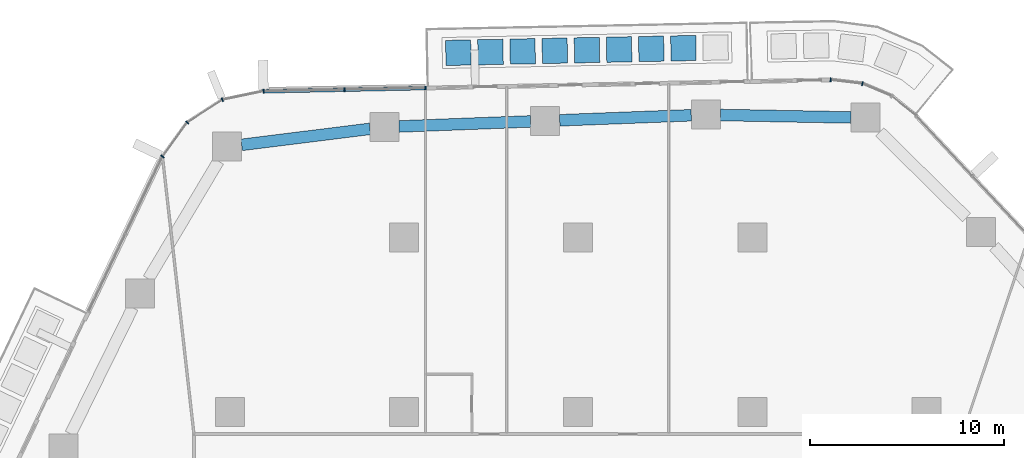
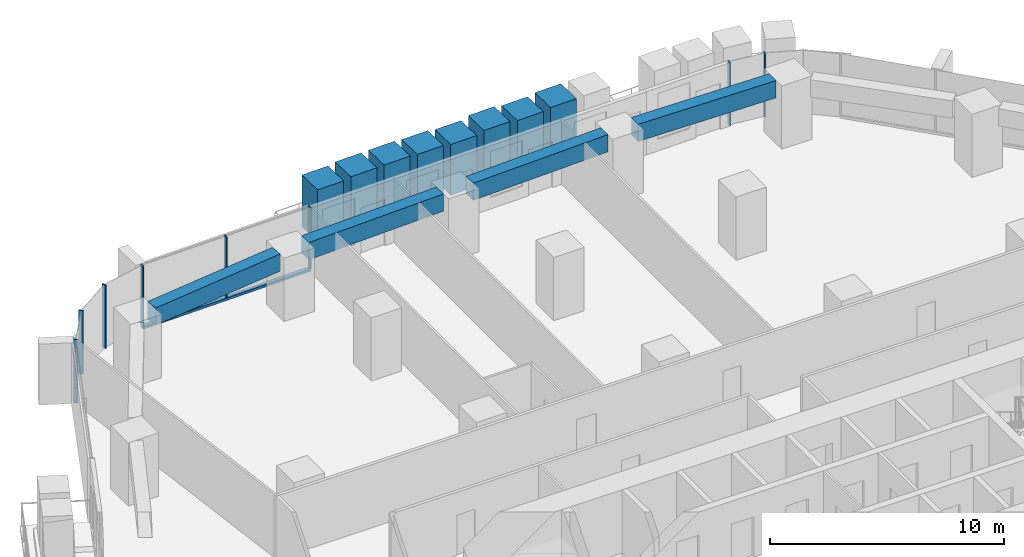
# One storey, part 8 of 24: 17 members, 4 beams, 3 elements without a shape of their own.
"""IFC4 building model written with IfcOpenShell, lengths in metres."""

import ifcopenshell
import ifcopenshell.guid

model = None  # the IFC model being written
_history = None  # IfcOwnerHistory: only IFC2X3 demands one
_inside = {}  # id of a spatial element -> (the spatial element, [elements in it])
_under = {}  # id of a project, library or spatial element -> (it, [spatial elements below it])
_declared = {}  # id of a project -> (the project, [libraries it declares])
_typed = {}  # id of a type object -> (the type object, [elements of that type])
_made_of = {}  # id of a material, layer set ... -> (it, [elements and type objects made of it])


def new_model(schema):
    """Start an empty IFC model of exactly this schema.

    Asked for "IFC4X3", IfcOpenShell would pick the latest addendum, in which some entities
    have other attributes; the version numbers below select the first issue.
    IFC2X3 requires an IfcOwnerHistory on every rooted entity: one is made here for all.
    """
    global model, _history
    if schema == "IFC4X3":
        model = ifcopenshell.file(schema_version=(4, 3, 0, 0))
    else:
        model = ifcopenshell.file(schema=schema)
    _inside.clear()
    _under.clear()
    _declared.clear()
    _typed.clear()
    _made_of.clear()
    _history = None
    if model.schema == "IFC2X3":
        org = make("IfcOrganization", Name="unknown")
        user = make(
            "IfcPersonAndOrganization",
            ThePerson=make("IfcPerson", FamilyName="unknown"),
            TheOrganization=org,
        )
        app = make(
            "IfcApplication",
            ApplicationDeveloper=org,
            Version="unknown",
            ApplicationFullName="unknown",
            ApplicationIdentifier="unknown",
        )
        _history = make(
            "IfcOwnerHistory",
            OwningUser=user,
            OwningApplication=app,
            ChangeAction="ADDED",
            CreationDate=0,
        )
    return model


def make(cls, **values):
    """One entity of the class cls with the attributes given. An attribute that is None is left unset."""
    return model.create_entity(
        cls, **{name: value for name, value in values.items() if value is not None}
    )


def rooted(cls, **values):
    """An entity with a GlobalId (a new one), such as an element, a storey or a relation."""
    return make(cls, GlobalId=ifcopenshell.guid.new(), OwnerHistory=_history, **values)


def si_unit(unit_type, name, prefix=None):
    """IfcSIUnit, for example si_unit("LENGTHUNIT", "METRE", prefix="MILLI")."""
    return make("IfcSIUnit", UnitType=unit_type, Prefix=prefix, Name=name)


def assignment(units):
    """IfcUnitAssignment: the units of a project."""
    return None if units is None else make("IfcUnitAssignment", Units=units)


def point(xyz):
    """IfcCartesianPoint."""
    return None if xyz is None else make("IfcCartesianPoint", Coordinates=xyz)


def direction(xyz):
    """IfcDirection."""
    return None if xyz is None else make("IfcDirection", DirectionRatios=xyz)


def frame(location, z_axis=None, x_axis=None):
    """IfcAxis2Placement3D, a coordinate frame: its origin and axes. An axis left out is left unset."""
    return make(
        "IfcAxis2Placement3D",
        Location=point(location),
        Axis=direction(z_axis),
        RefDirection=direction(x_axis),
    )


def frame_2d(location, x_axis=None):
    """IfcAxis2Placement2D, a coordinate frame in the plane: its origin and x axis."""
    return make(
        "IfcAxis2Placement2D", Location=point(location), RefDirection=direction(x_axis)
    )


def origin():
    """The frame at (0, 0, 0) with its axes left unset."""
    return frame((0.0, 0.0, 0.0))


def origin_2d():
    """The frame at (0, 0) in the plane with its x axis left unset."""
    return frame_2d((0.0, 0.0))


def place(relative_to, where):
    """IfcLocalPlacement: puts the frame where relative to a parent placement (None: the world)."""
    return make(
        "IfcLocalPlacement", PlacementRelTo=relative_to, RelativePlacement=where
    )


def context(
    kind, dimensions, precision=None, world=None, true_north=None, identifier=None
):
    """IfcGeometricRepresentationContext, for example the 3D "Model" context."""
    return make(
        "IfcGeometricRepresentationContext",
        ContextIdentifier=identifier,
        ContextType=kind,
        CoordinateSpaceDimension=dimensions,
        Precision=precision,
        WorldCoordinateSystem=world,
        TrueNorth=true_north,
    )


def subcontext(parent, identifier, kind, view, scale=None):
    """IfcGeometricRepresentationSubContext, for example "Body" below "Model"."""
    return make(
        "IfcGeometricRepresentationSubContext",
        ContextIdentifier=identifier,
        ContextType=kind,
        ParentContext=parent,
        TargetScale=scale,
        TargetView=view,
    )


def project(units=None, contexts=None):
    """IfcProject with its units and contexts."""
    return rooted(
        "IfcProject",
        Name="project",
        RepresentationContexts=contexts,
        UnitsInContext=assignment(units),
    )


def spatial(cls, under=None, at=None, **own):
    """A site, building, storey or space (cls), placed at a placement, below another one or the project."""
    s = rooted(cls, ObjectPlacement=at, **own)
    if under is not None:
        _under.setdefault(under.id(), (under, []))[1].append(s)
    return s


def profile(cls, at=None, kind="AREA", **sizes):
    """A parametric profile (cls). Its sizes go by their IFC names, for example OverallWidth=200.0."""
    return make(cls, ProfileType=kind, Position=at, **sizes)


def rectangle(**sizes):
    """IfcRectangleProfileDef."""
    return profile("IfcRectangleProfileDef", **sizes)


def extrude(swept, where, along, depth):
    """IfcExtrudedAreaSolid: the profile swept, set in the frame where, extruded along a direction by depth."""
    return make(
        "IfcExtrudedAreaSolid",
        SweptArea=swept,
        Position=where,
        ExtrudedDirection=direction(along),
        Depth=depth,
    )


def shape(context_of_items, identifier, shape_type, items):
    """IfcShapeRepresentation: the items that make up one representation, for example the "Body"."""
    return make(
        "IfcShapeRepresentation",
        ContextOfItems=context_of_items,
        RepresentationIdentifier=identifier,
        RepresentationType=shape_type,
        Items=items,
    )


def material(Name=None, Category=None):
    """IfcMaterial."""
    return make("IfcMaterial", Name=Name, Category=Category)


def layer(
    of_material, thickness, ventilated=None, Name=None, Category=None, Priority=None
):
    """IfcMaterialLayer: one layer of a wall or slab, of a material (None: an air gap)."""
    return make(
        "IfcMaterialLayer",
        Material=of_material,
        LayerThickness=thickness,
        IsVentilated=ventilated,
        Name=Name,
        Category=Category,
        Priority=Priority,
    )


def layer_set(layers, Name=None):
    """IfcMaterialLayerSet."""
    return make("IfcMaterialLayerSet", MaterialLayers=layers, LayerSetName=Name)


def material_profile(
    of_material, cross_section, Name=None, Category=None, Priority=None
):
    """IfcMaterialProfile: a cross section and its material."""
    return make(
        "IfcMaterialProfile",
        Name=Name,
        Material=of_material,
        Profile=cross_section,
        Priority=Priority,
        Category=Category,
    )


def profile_set(profiles, Name=None, composite=None):
    """IfcMaterialProfileSet."""
    return make(
        "IfcMaterialProfileSet",
        Name=Name,
        MaterialProfiles=profiles,
        CompositeProfile=composite,
    )


def made_of(thing, what):
    """Note that an element or type object is made of a material, layer set ...; save() writes the relation."""
    if what is not None:
        _made_of.setdefault(what.id(), (what, []))[1].append(thing)
    return thing


def type_object(cls, material=None, **own):
    """A type object (cls), such as IfcWallType, which elements share."""
    return made_of(rooted(cls, **own), material)


def element(
    cls,
    number,
    at=None,
    inside=None,
    cuts=None,
    type_object=None,
    material=None,
    context=None,
    identifier="Body",
    shape_type=None,
    held_by="IfcProductDefinitionShape",
    body=None,
    shapes=None,
    **own,
):
    """One element of the class cls, such as IfcWall. Its Tag is "e" and its number.

    at: its placement. inside: the storey or other place that contains it. cuts: it is an
    opening in that element (IfcRelVoidsElement). A single representation is given by context,
    identifier, shape_type and body (its items); several are given by shapes. held_by: the class
    of the entity that holds the representations. save() writes the other relations.
    """
    e = rooted(cls, Tag="e%d" % number, ObjectPlacement=at, **own)
    if body is not None:
        shapes = [shape(context, identifier, shape_type, body)]
    if shapes is not None:
        e.Representation = make(held_by, Representations=shapes)
    if inside is not None:
        _inside.setdefault(inside.id(), (inside, []))[1].append(e)
    if cuts is not None:
        rooted(
            "IfcRelVoidsElement", RelatingBuildingElement=cuts, RelatedOpeningElement=e
        )
    if type_object is not None:
        _typed.setdefault(type_object.id(), (type_object, []))[1].append(e)
    return made_of(e, material)


def aggregate(whole, parts):
    """IfcRelAggregates: a whole, such as a stair, and the parts it consists of."""
    return rooted("IfcRelAggregates", RelatingObject=whole, RelatedObjects=parts)


def save(model, path):
    """Write the relations noted so far, then the file.

    IfcRelAggregates (storeys below a building ...), IfcRelContainedInSpatialStructure (elements
    in a storey), IfcRelDefinesByType, IfcRelAssociatesMaterial and IfcRelDeclares: one each for
    every whole, place, type object, material and project.
    """
    for whole, parts in _under.values():
        aggregate(whole, parts)
    for where, things in _inside.values():
        rooted(
            "IfcRelContainedInSpatialStructure",
            RelatedElements=things,
            RelatingStructure=where,
        )
    for kind, things in _typed.values():
        rooted("IfcRelDefinesByType", RelatedObjects=things, RelatingType=kind)
    for what, things in _made_of.values():
        rooted("IfcRelAssociatesMaterial", RelatedObjects=things, RelatingMaterial=what)
    for by, libraries in _declared.values():
        rooted("IfcRelDeclares", RelatingContext=by, RelatedDefinitions=libraries)
    model.write(path)


model = new_model("IFC4")

# Units and contexts
model_context = context("Model", 3, precision=1e-05, world=origin(), true_north=direction((0.0, 1.0)))
body_context = subcontext(model_context, "Body", "Model", "MODEL_VIEW")
ifc_project = project(units=[si_unit("LENGTHUNIT", "METRE"), si_unit("AREAUNIT", "SQUARE_METRE"), si_unit("VOLUMEUNIT", "CUBIC_METRE"), si_unit("PLANEANGLEUNIT", "RADIAN"), si_unit("MASSUNIT", "GRAM", prefix="KILO")], contexts=[model_context])

# Site, building, storey
site_placement = place(None, origin())
site = spatial("IfcSite", under=ifc_project, at=site_placement, CompositionType="ELEMENT")
building_placement = place(site_placement, origin())
building = spatial("IfcBuilding", under=site, at=building_placement, Name="Dongbaek Canopy Tower", CompositionType="ELEMENT")
storey_placement = place(building_placement, frame((0.0, 0.0, 47.699951171875)))
storey = spatial("IfcBuildingStorey", under=building, at=storey_placement, Name="L07", CompositionType="ELEMENT", Elevation=47.699951171875)

# Curtain wall, members
ifc_material_1 = material(Name="Aluminium 6063-T6 pale anodised", Category="aluminium")
ifc_layer = layer(ifc_material_1, 0.199951171875)
ifc_layer_set = layer_set([ifc_layer], Name="CW-1 unitised tower curtain wall")
curtain_wall_type = type_object("IfcCurtainWallType", Name="CW-1 unitised tower curtain wall", PredefinedType="NOTDEFINED", material=ifc_layer_set)
curtain_wall_1_placement = place(storey_placement, origin())
curtain_wall_1 = element("IfcCurtainWall", 1, at=curtain_wall_1_placement, inside=storey, type_object=curtain_wall_type, Name="CW-1 curtain wall K1.1", PredefinedType="NOTDEFINED")
ifc_material_2 = material(Name="Aluminium 6063-T6 pale anodised", Category="aluminium")
ifc_material_profile_1 = material_profile(ifc_material_2, rectangle(XDim=0.199951171875, YDim=0.06005859375, at=origin_2d()), Name="CW-1 mullion 60 x 200")
ifc_profile_set_1 = profile_set([ifc_material_profile_1], Name="Aluminium 6063-T6 pale anodised")
member_type_1 = type_object("IfcMemberType", Name="CW-1 mullion 60 x 200", PredefinedType="MULLION", material=ifc_profile_set_1)
member_1_placement = place(storey_placement, frame((14.678466796875, 34.949462890625, 0.0), z_axis=(0.0, 0.0, 1.0), x_axis=(0.256289748886, 0.966600002388, 0.0)))
member_1 = element("IfcMember", 2, at=member_1_placement, type_object=member_type_1, Name="CW-1 mullion K1.1.3", PredefinedType="MULLION", context=body_context, shape_type="SweptSolid", body=[
    extrude(rectangle(XDim=0.199951171875, YDim=0.06005859375, at=origin_2d()), origin(), (0.0, 0.0, 1.0), 3.300048828125),
])
member_2_placement = place(storey_placement, frame((13.0419921875, 35.14599609375, 0.0), z_axis=(0.0, 0.0, 1.0), x_axis=(0.119342231926, 0.992853177302, 0.0)))
member_2 = element("IfcMember", 3, at=member_2_placement, type_object=member_type_1, Name="CW-1 mullion K1.1.4", PredefinedType="MULLION", context=body_context, shape_type="SweptSolid", body=[
    extrude(rectangle(XDim=0.199951171875, YDim=0.06005859375, at=origin_2d()), origin(), (0.0, 0.0, 1.0), 3.300048828125),
])
aggregate(curtain_wall_1, [member_1, member_2])

curtain_wall_2_placement = place(storey_placement, origin())
curtain_wall_2 = element("IfcCurtainWall", 4, at=curtain_wall_2_placement, inside=storey, type_object=curtain_wall_type, Name="CW-1 curtain wall F1.1", PredefinedType="NOTDEFINED")
member_3_placement = place(storey_placement, frame((-7.8876953125, 34.72900390625, 0.1201171875), z_axis=(0.0, 0.0, 1.0), x_axis=(-0.019925757664, 0.999801462382, 0.0)))
member_3 = element("IfcMember", 5, at=member_3_placement, type_object=member_type_1, Name="CW-1 mullion F1.1.1", PredefinedType="MULLION", context=body_context, shape_type="SweptSolid", body=[
    extrude(rectangle(XDim=0.199951171875, YDim=0.06005859375, at=origin_2d()), origin(), (0.0, 0.0, 1.0), 3.179931640625),
])
member_4_placement = place(storey_placement, frame((-12.074951171875, 34.6455078125, 0.1201171875), z_axis=(0.0, 0.0, 1.0), x_axis=(-0.019925757664, 0.999801462382, 0.0)))
member_4 = element("IfcMember", 6, at=member_4_placement, type_object=member_type_1, Name="CW-1 mullion F1.1.2", PredefinedType="MULLION", context=body_context, shape_type="SweptSolid", body=[
    extrude(rectangle(XDim=0.199951171875, YDim=0.06005859375, at=origin_2d()), origin(), (0.0, 0.0, 1.0), 3.179931640625),
])
member_5_placement = place(storey_placement, frame((-16.2529296875, 34.562255859375, 0.1201171875), z_axis=(0.0, 0.0, 1.0), x_axis=(-0.019925757664, 0.999801462382, 0.0)))
member_5 = element("IfcMember", 7, at=member_5_placement, type_object=member_type_1, Name="CW-1 mullion F1.1.3", PredefinedType="MULLION", context=body_context, shape_type="SweptSolid", body=[
    extrude(rectangle(XDim=0.199951171875, YDim=0.06005859375, at=origin_2d()), origin(), (0.0, 0.0, 1.0), 3.179931640625),
])

curtain_wall_3_placement = place(storey_placement, origin())
curtain_wall_3 = element("IfcCurtainWall", 8, at=curtain_wall_3_placement, inside=storey, type_object=curtain_wall_type, Name="CW-1 curtain wall K2.1", PredefinedType="NOTDEFINED")
member_6_placement = place(storey_placement, frame((-18.380615234375, 34.121337890625, 0.0), z_axis=(0.0, 0.0, 1.0), x_axis=(-0.379075212313, 0.925365864623, 0.0)))
member_6 = element("IfcMember", 9, at=member_6_placement, type_object=member_type_1, Name="CW-1 mullion K2.1.2", PredefinedType="MULLION", context=body_context, shape_type="SweptSolid", body=[
    extrude(rectangle(XDim=0.199951171875, YDim=0.06005859375, at=origin_2d()), origin(), (0.0, 0.0, 1.0), 3.300048828125),
])
member_7_placement = place(storey_placement, frame((-20.1982421875, 32.947998046875, 0.0), z_axis=(0.0, 0.0, 1.0), x_axis=(-0.687228061912, 0.72644173264, 0.0)))
member_7 = element("IfcMember", 10, at=member_7_placement, type_object=member_type_1, Name="CW-1 mullion K2.1.3", PredefinedType="MULLION", context=body_context, shape_type="SweptSolid", body=[
    extrude(rectangle(XDim=0.199951171875, YDim=0.06005859375, at=origin_2d()), origin(), (0.0, 0.0, 1.0), 3.300048828125),
])
member_8_placement = place(storey_placement, frame((-21.47607421875, 31.190673828125, 0.0), z_axis=(0.0, 0.0, 1.0), x_axis=(-0.808795565583, 0.58808990222, 0.0)))
member_8 = element("IfcMember", 11, at=member_8_placement, type_object=member_type_1, Name="CW-1 mullion K2.1.4", PredefinedType="MULLION", context=body_context, shape_type="SweptSolid", body=[
    extrude(rectangle(XDim=0.199951171875, YDim=0.06005859375, at=origin_2d()), origin(), (0.0, 0.0, 1.0), 3.300048828125),
])
aggregate(curtain_wall_3, [member_6, member_7, member_8])

# Member
ifc_material_3 = material(Name="Aluminium 6063-T6 pale anodised", Category="aluminium")
ifc_material_profile_2 = material_profile(ifc_material_3, rectangle(XDim=0.199951171875, YDim=0.1201171875, at=origin_2d()), Name="CW-1 transom 120 x 200")
ifc_profile_set_2 = profile_set([ifc_material_profile_2], Name="Aluminium 6063-T6 pale anodised")
member_type_2 = type_object("IfcMemberType", Name="CW-1 transom 120 x 200", PredefinedType="USERDEFINED", material=ifc_profile_set_2)
member_9_placement = place(storey_placement, frame((-7.8876953125, 34.72900390625, 0.06005859375), z_axis=(-0.999801387815, -0.019929498829, 0.0), x_axis=(0.019929498829, -0.999801387815, 0.0)))
member_9 = element("IfcMember", 12, at=member_9_placement, type_object=member_type_2, Name="CW-1 transom F1.1.1", ObjectType="TRANSOM", PredefinedType="USERDEFINED", context=body_context, shape_type="SweptSolid", body=[
    extrude(rectangle(XDim=0.199951171875, YDim=0.1201171875, at=origin_2d()), origin(), (0.0, 0.0, 1.0), 8.366943359375),
])

aggregate(curtain_wall_2, [member_3, member_4, member_5, member_9])

# Beams
ifc_material_4 = material(Name="Concrete C80", Category="concrete")
ifc_material_profile_3 = material_profile(ifc_material_4, rectangle(XDim=0.60009765625, YDim=0.89990234375, at=origin_2d()), Name="RC EDGE BEAM 600x900 C80")
ifc_profile_set_3 = profile_set([ifc_material_profile_3], Name="Concrete C80")
beam_type = type_object("IfcBeamType", Name="RC EDGE BEAM 600x900 C80", PredefinedType="BEAM", material=ifc_profile_set_3)
beam_1_placement = place(storey_placement, frame((-17.388916015625, 31.79248046875, 2.85009765625), z_axis=(0.992300337098, 0.123854919137, 0.0), x_axis=(-0.123854919137, 0.992300337098, 0.0)))
element("IfcBeam", 13, at=beam_1_placement, inside=storey, type_object=beam_type, Name="EDGEBEAM:L07:13", PredefinedType="BEAM", context=body_context, shape_type="SweptSolid", body=[
    extrude(rectangle(XDim=0.60009765625, YDim=0.89990234375, at=origin_2d()), origin(), (0.0, 0.0, 1.0), 6.684326171875),
])
beam_2_placement = place(storey_placement, frame((-9.256103515625, 32.74267578125, 2.85009765625), z_axis=(0.999265250645, 0.038326999019, 0.0), x_axis=(-0.038326999019, 0.999265250645, 0.0)))
element("IfcBeam", 14, at=beam_2_placement, inside=storey, type_object=beam_type, Name="EDGEBEAM:L07:14", PredefinedType="BEAM", context=body_context, shape_type="SweptSolid", body=[
    extrude(rectangle(XDim=0.60009765625, YDim=0.89990234375, at=origin_2d()), origin(), (0.0, 0.0, 1.0), 6.802978515625),
])
beam_3_placement = place(storey_placement, frame((-0.9580078125, 33.060791015625, 2.85009765625), z_axis=(0.99927189778, 0.038153300073, 0.0), x_axis=(-0.038153300073, 0.99927189778, 0.0)))
element("IfcBeam", 15, at=beam_3_placement, inside=storey, type_object=beam_type, Name="EDGEBEAM:L07:15", PredefinedType="BEAM", context=body_context, shape_type="SweptSolid", body=[
    extrude(rectangle(XDim=0.60009765625, YDim=0.89990234375, at=origin_2d()), origin(), (0.0, 0.0, 1.0), 6.802001953125),
])
beam_4_placement = place(storey_placement, frame((7.339111328125, 33.3349609375, 2.85009765625), z_axis=(0.999822704828, -0.018829734762, 0.0), x_axis=(0.018829734762, 0.999822704828, 0.0)))
element("IfcBeam", 16, at=beam_4_placement, inside=storey, type_object=beam_type, Name="EDGEBEAM:L07:16", PredefinedType="BEAM", context=body_context, shape_type="SweptSolid", body=[
    extrude(rectangle(XDim=0.60009765625, YDim=0.89990234375, at=origin_2d()), origin(), (0.0, 0.0, 1.0), 6.7421875),
])

# Members
ifc_material_5 = material(Name="Concrete C40/50 planter mass with planting", Category="concrete")
ifc_material_profile_4 = material_profile(ifc_material_5, rectangle(XDim=1.300048828125, YDim=1.300048828125, at=origin_2d()), Name="Terrace PLANTER shrub mass 1300 x 1300")
ifc_profile_set_4 = profile_set([ifc_material_profile_4], Name="Concrete C40/50 planter mass with planting")
member_type_3 = type_object("IfcMemberType", Name="Terrace PLANTER shrub mass 1300 x 1300", PredefinedType="USERDEFINED", material=ifc_profile_set_4)
member_10_placement = place(storey_placement, frame((5.4345703125, 36.784912109375, 0.420166015625), z_axis=(0.0, 0.0, 1.0), x_axis=(-0.019925757664, 0.999801462382, 0.0)))
element("IfcMember", 17, at=member_10_placement, inside=storey, type_object=member_type_3, Name="Planter shrubs L07 1.2", ObjectType="PLANTER", PredefinedType="USERDEFINED", context=body_context, shape_type="SweptSolid", body=[
    extrude(rectangle(XDim=1.300048828125, YDim=1.300048828125, at=origin_2d()), origin(), (0.0, 0.0, 1.0), 2.769775390625),
])
member_11_placement = place(storey_placement, frame((3.7734375, 36.751708984375, 0.420166015625), z_axis=(0.0, 0.0, 1.0), x_axis=(-0.019925757664, 0.999801462382, 0.0)))
element("IfcMember", 18, at=member_11_placement, inside=storey, type_object=member_type_3, Name="Planter shrubs L07 1.3", ObjectType="PLANTER", PredefinedType="USERDEFINED", context=body_context, shape_type="SweptSolid", body=[
    extrude(rectangle(XDim=1.300048828125, YDim=1.300048828125, at=origin_2d()), origin(), (0.0, 0.0, 1.0), 2.68994140625),
])
member_12_placement = place(storey_placement, frame((2.112548828125, 36.718505859375, 0.420166015625), z_axis=(0.0, 0.0, 1.0), x_axis=(-0.019925757664, 0.999801462382, 0.0)))
element("IfcMember", 19, at=member_12_placement, inside=storey, type_object=member_type_3, Name="Planter shrubs L07 1.4", ObjectType="PLANTER", PredefinedType="USERDEFINED", context=body_context, shape_type="SweptSolid", body=[
    extrude(rectangle(XDim=1.300048828125, YDim=1.300048828125, at=origin_2d()), origin(), (0.0, 0.0, 1.0), 2.77978515625),
])
member_13_placement = place(storey_placement, frame((0.451416015625, 36.685546875, 0.420166015625), z_axis=(0.0, 0.0, 1.0), x_axis=(-0.019925757664, 0.999801462382, 0.0)))
element("IfcMember", 20, at=member_13_placement, inside=storey, type_object=member_type_3, Name="Planter shrubs L07 1.5", ObjectType="PLANTER", PredefinedType="USERDEFINED", context=body_context, shape_type="SweptSolid", body=[
    extrude(rectangle(XDim=1.300048828125, YDim=1.300048828125, at=origin_2d()), origin(), (0.0, 0.0, 1.0), 2.64990234375),
])
member_14_placement = place(storey_placement, frame((-1.209716796875, 36.65234375, 0.420166015625), z_axis=(0.0, 0.0, 1.0), x_axis=(-0.019925757664, 0.999801462382, 0.0)))
element("IfcMember", 21, at=member_14_placement, inside=storey, type_object=member_type_3, Name="Planter shrubs L07 1.6", ObjectType="PLANTER", PredefinedType="USERDEFINED", context=body_context, shape_type="SweptSolid", body=[
    extrude(rectangle(XDim=1.300048828125, YDim=1.300048828125, at=origin_2d()), origin(), (0.0, 0.0, 1.0), 2.72998046875),
])
member_15_placement = place(storey_placement, frame((-2.870849609375, 36.619384765625, 0.420166015625), z_axis=(0.0, 0.0, 1.0), x_axis=(-0.019925757664, 0.999801462382, 0.0)))
element("IfcMember", 22, at=member_15_placement, inside=storey, type_object=member_type_3, Name="Planter shrubs L07 1.7", ObjectType="PLANTER", PredefinedType="USERDEFINED", context=body_context, shape_type="SweptSolid", body=[
    extrude(rectangle(XDim=1.300048828125, YDim=1.300048828125, at=origin_2d()), origin(), (0.0, 0.0, 1.0), 2.77978515625),
])
member_16_placement = place(storey_placement, frame((-4.531982421875, 36.586181640625, 0.420166015625), z_axis=(0.0, 0.0, 1.0), x_axis=(-0.019925757664, 0.999801462382, 0.0)))
element("IfcMember", 23, at=member_16_placement, inside=storey, type_object=member_type_3, Name="Planter shrubs L07 1.8", ObjectType="PLANTER", PredefinedType="USERDEFINED", context=body_context, shape_type="SweptSolid", body=[
    extrude(rectangle(XDim=1.300048828125, YDim=1.300048828125, at=origin_2d()), origin(), (0.0, 0.0, 1.0), 2.769775390625),
])
member_17_placement = place(storey_placement, frame((-6.19287109375, 36.552978515625, 0.420166015625), z_axis=(0.0, 0.0, 1.0), x_axis=(-0.019925757664, 0.999801462382, 0.0)))
element("IfcMember", 24, at=member_17_placement, inside=storey, type_object=member_type_3, Name="Planter shrubs L07 1.9", ObjectType="PLANTER", PredefinedType="USERDEFINED", context=body_context, shape_type="SweptSolid", body=[
    extrude(rectangle(XDim=1.300048828125, YDim=1.300048828125, at=origin_2d()), origin(), (0.0, 0.0, 1.0), 2.68994140625),
])

save(model, "model.ifc")
